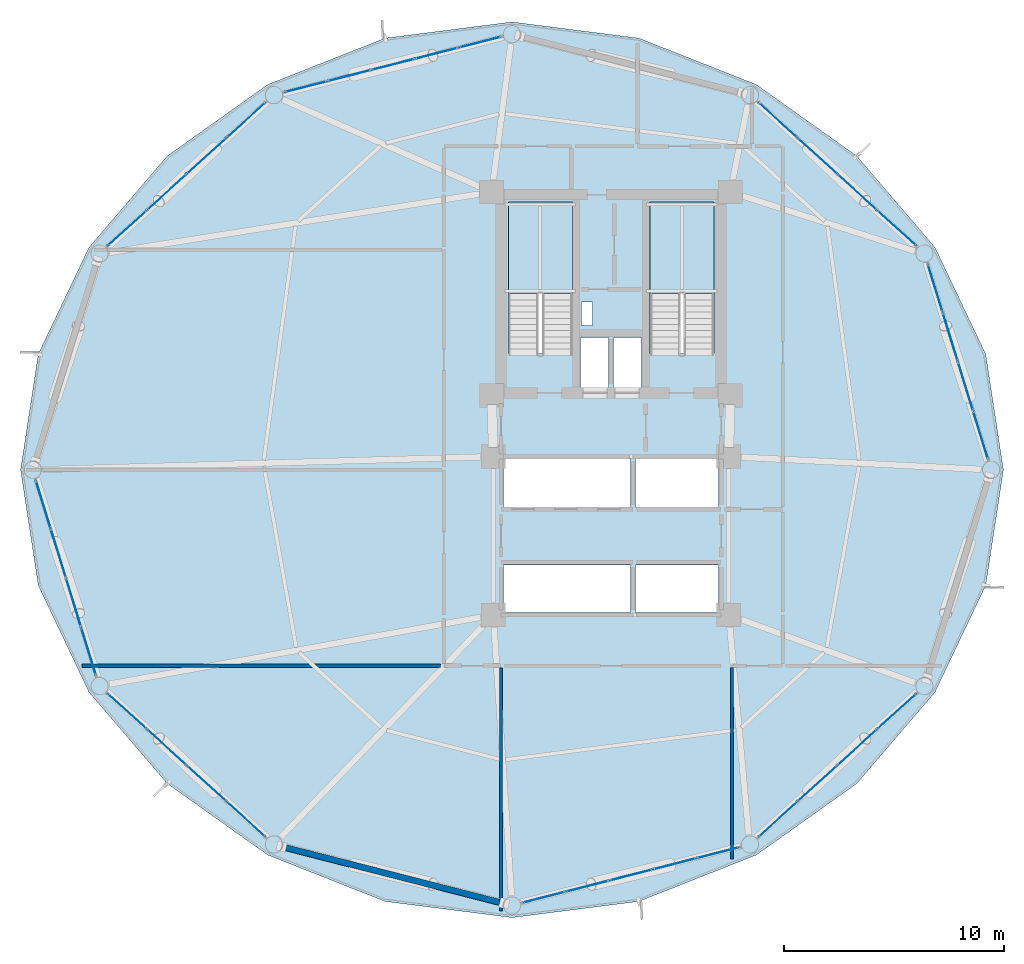
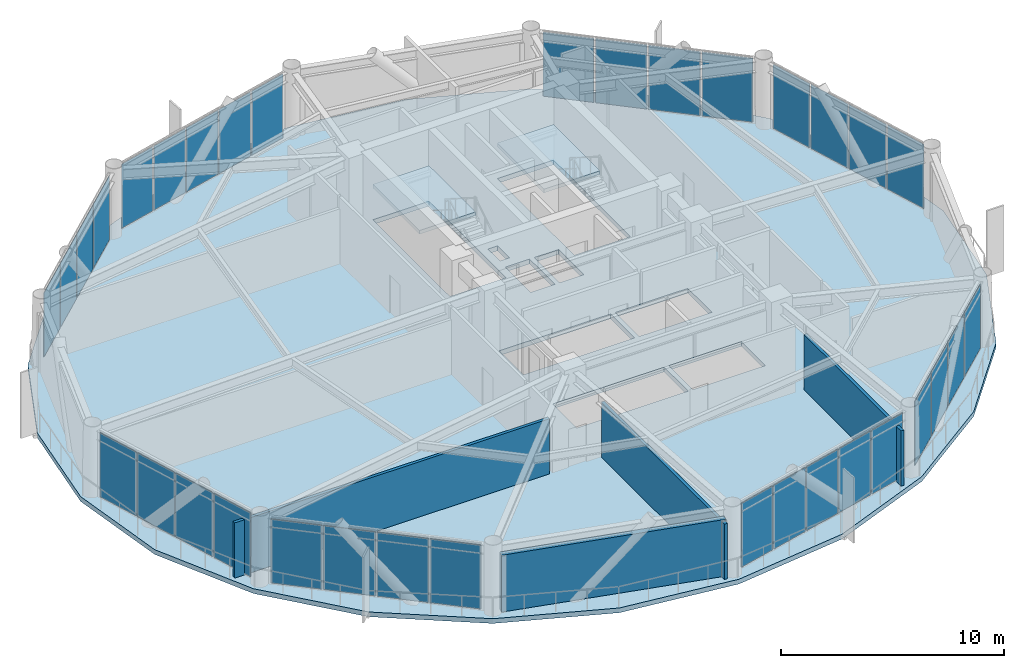
# One storey, part 19 of 25: 34 plates, 4 walls, 3 slabs, 10 elements without a shape of their own.
"""IFC4 building model written with IfcOpenShell, lengths in metres."""

from ifc_helpers import new_model, si_unit, direction, frame, frame_2d, origin, origin_2d, place, context, subcontext, project, spatial, polyline, rectangle, outline, extrude, source, transform, mapped, material, layer, layer_set, type_object, type_shapes, element, aggregate, save


model = new_model("IFC4")

# Units and contexts
model_context = context("Model", 3, precision=1e-05, world=origin(), true_north=direction((0.0, 1.0)))
body_context = subcontext(model_context, "Body", "Model", "MODEL_VIEW")
ifc_project = project(units=[si_unit("LENGTHUNIT", "METRE"), si_unit("AREAUNIT", "SQUARE_METRE"), si_unit("VOLUMEUNIT", "CUBIC_METRE"), si_unit("PLANEANGLEUNIT", "RADIAN"), si_unit("MASSUNIT", "GRAM", prefix="KILO")], contexts=[model_context])

# Site, building, storey
site_placement = place(None, origin())
site = spatial("IfcSite", under=ifc_project, at=site_placement, CompositionType="ELEMENT")
building_placement = place(site_placement, origin())
building = spatial("IfcBuilding", under=site, at=building_placement, Name="Varnakorn Sky Granary", CompositionType="ELEMENT")
storey_placement = place(building_placement, frame((0.0, 0.0, 91.5)))
storey = spatial("IfcBuildingStorey", under=building, at=storey_placement, Name="L22", CompositionType="ELEMENT", Elevation=91.5)

# Stair, slab
ifc_material_1 = material(Name="Concrete C40/50", Category="concrete")
stair_type = type_object("IfcStairType", Name="ST-MAIN-ASSEMBLY", PredefinedType="HALF_TURN_STAIR", material=ifc_material_1)
stair_1_placement = place(storey_placement, origin())
stair_1 = element("IfcStair", 1, at=stair_1_placement, inside=storey, type_object=stair_type, Name="L22 Protected Exit Stair ST-1", PredefinedType="HALF_TURN_STAIR")
ifc_layer_1 = layer(ifc_material_1, 0.199951171875, Name="Concrete C40/50")
ifc_layer_set_1 = layer_set([ifc_layer_1], Name="Concrete C40/50")
slab_type_1 = type_object("IfcSlabType", Name="ST-MAIN-LAND", PredefinedType="LANDING", material=ifc_layer_set_1)
slab_1_placement = place(storey_placement, frame((0.0, 0.0, 1.75)))
slab_1 = element("IfcSlab", 2, at=slab_1_placement, type_object=slab_type_1, Name="ST-1 landing 1", PredefinedType="LANDING", context=body_context, shape_type="SweptSolid", body=[
    extrude(outline(polyline([(1.239990234375, 8.0), (1.239990234375, 12.179931640625), (-1.669921875, 12.179931640625), (-1.669921875, 8.0), (1.239990234375, 8.0)])), origin(), (0.0, 0.0, 1.0), 0.199951171875),
])
aggregate(stair_1, [slab_1])

stair_2_placement = place(storey_placement, origin())
stair_2 = element("IfcStair", 3, at=stair_2_placement, inside=storey, type_object=stair_type, Name="L22 Protected Exit Stair ST-2", PredefinedType="HALF_TURN_STAIR")
slab_2_placement = place(storey_placement, frame((0.0, 0.0, 1.75)))
slab_2 = element("IfcSlab", 4, at=slab_2_placement, type_object=slab_type_1, Name="ST-2 landing 1", PredefinedType="LANDING", context=body_context, shape_type="SweptSolid", body=[
    extrude(outline(polyline([(7.679931640625, 8.0), (7.679931640625, 12.179931640625), (4.77001953125, 12.179931640625), (4.77001953125, 8.0), (7.679931640625, 8.0)])), origin(), (0.0, 0.0, 1.0), 0.199951171875),
])
aggregate(stair_2, [slab_2])

# Slab
ifc_material_2 = material(Name="Concrete C50/60", Category="concrete")
ifc_layer_2 = layer(ifc_material_2, 0.260009765625, Name="Concrete C50/60")
ifc_layer_set_2 = layer_set([ifc_layer_2], Name="Concrete C50/60")
slab_type_2 = type_object("IfcSlabType", Name="ST-SL-TWR-260", PredefinedType="FLOOR", material=ifc_layer_set_2)
slab_3_placement = place(storey_placement, frame((0.0, 0.0, -0.260009765625)))
element("IfcSlab", 5, at=slab_3_placement, inside=storey, type_object=slab_type_2, Name="Level L22 Structural Floor Slab", PredefinedType="FLOOR", context=body_context, shape_type="SweptSolid", body=[
    extrude(outline(polyline([(20.8330078125, 0.0), (20.028564453125, 5.255859375), (17.72412109375, 10.1083984375), (14.16455078125, 14.263916015625), (9.59912109375, 17.50830078125), (4.2685546875, 19.614990234375), (-1.5, 20.35205078125), (-7.2685546875, 19.614990234375), (-12.59912109375, 17.50830078125), (-17.16455078125, 14.263916015625), (-20.72412109375, 10.1083984375), (-23.028564453125, 5.255859375), (-23.8330078125, 0.0), (-23.028564453125, -5.255859375), (-20.72412109375, -10.1083984375), (-17.16455078125, -14.263916015625), (-12.59912109375, -17.50830078125), (-7.2685546875, -19.614990234375), (-1.5, -20.35205078125), (4.2685546875, -19.614990234375), (9.59912109375, -17.50830078125), (14.16455078125, -14.263916015625), (17.72412109375, -10.1083984375), (20.028564453125, -5.255859375), (20.8330078125, 0.0)]), holes=[polyline([(1.239990234375, 5.27490234375), (1.239990234375, 12.179931640625), (-1.669921875, 12.179931640625), (-1.669921875, 5.27490234375), (1.239990234375, 5.27490234375)]), polyline([(7.679931640625, 5.27490234375), (7.679931640625, 12.179931640625), (4.77001953125, 12.179931640625), (4.77001953125, 5.27490234375), (7.679931640625, 5.27490234375)]), polyline([(1.659912109375, 6.550048828125), (2.14990234375, 6.550048828125), (2.14990234375, 7.6201171875), (1.659912109375, 7.6201171875), (1.659912109375, 6.550048828125)]), polyline([(1.6201171875, 3.739990234375), (2.8798828125, 3.739990234375), (2.8798828125, 6.010009765625), (1.6201171875, 6.010009765625), (1.6201171875, 3.739990234375)]), polyline([(3.1201171875, 3.739990234375), (4.3798828125, 3.739990234375), (4.3798828125, 6.010009765625), (3.1201171875, 6.010009765625), (3.1201171875, 3.739990234375)]), polyline([(-1.8798828125, -1.679931640625), (3.8798828125, -1.679931640625), (3.8798828125, 0.47998046875), (-1.8798828125, 0.47998046875), (-1.8798828125, -1.679931640625)]), polyline([(4.1201171875, -1.679931640625), (7.8798828125, -1.679931640625), (7.8798828125, 0.47998046875), (4.1201171875, 0.47998046875), (4.1201171875, -1.679931640625)]), polyline([(-1.8798828125, -6.47998046875), (3.8798828125, -6.47998046875), (3.8798828125, -4.320068359375), (-1.8798828125, -4.320068359375), (-1.8798828125, -6.47998046875)]), polyline([(4.1201171875, -6.47998046875), (7.8798828125, -6.47998046875), (7.8798828125, -4.320068359375), (4.1201171875, -4.320068359375), (4.1201171875, -6.47998046875)])]), origin(), (0.0, 0.0, 1.0), 0.260009765625),
])

# Curtain wall, plates
ifc_material_3 = material(Name="Anodised Bronze Aluminium Alloy 6063-T6", Category="aluminium")
ifc_layer_3 = layer(ifc_material_3, 0.18994140625, Name="Anodised Bronze Aluminium Alloy 6063-T6")
ifc_layer_set_3 = layer_set([ifc_layer_3], Name="Anodised Bronze Aluminium Alloy 6063-T6")
curtain_wall_type = type_object("IfcCurtainWallType", Name="CW-FRM-1", PredefinedType="USERDEFINED", material=ifc_layer_set_3)
curtain_wall_1_placement = place(storey_placement, origin())
curtain_wall_1 = element("IfcCurtainWall", 6, at=curtain_wall_1_placement, inside=storey, type_object=curtain_wall_type, Name="Unitised Curtain Wall CW3 CW-L22-B01", ObjectType="CURTAIN WALL", PredefinedType="USERDEFINED")
ifc_material_4 = material(Name="Low-E Tinted Laminated Glass", Category="glass")
ifc_layer_4 = layer(ifc_material_4, 0.028076171875, Name="Low-E Tinted Laminated Glass")
ifc_layer_set_4 = layer_set([ifc_layer_4], Name="Low-E Tinted Laminated Glass")
plate_type = type_object("IfcPlateType", Name="CW-FRM-1-PNL", PredefinedType="CURTAIN_PANEL")
shared_shape_1 = source(origin(), body_context, "Body", "SweptSolid", [
    extrude(rectangle(XDim=2.234619140625, YDim=0.028076171875, at=origin_2d()), origin(), (0.0, 0.0, 1.0), 3.5),
])
plate_1_placement = place(storey_placement, frame((17.735595703125, 8.25341796875, 0.070068359375), z_axis=(0.0, 0.0, 1.0), x_axis=(0.294933477341, -0.955517788397, 0.0)))
plate_1 = element("IfcPlate", 7, at=plate_1_placement, type_object=plate_type, material=ifc_layer_set_4, Name="CW3 vision glazing unit 1.1", PredefinedType="CURTAIN_PANEL", context=body_context, shape_type="MappedRepresentation", body=[
    mapped(shared_shape_1, transform((0.0, 0.0, 0.0), x_axis=(1.0, 0.0, 0.0), y_axis=(0.0, 1.0, 0.0), z_axis=(0.0, 0.0, 1.0), scale=1.0)),
])
plate_2_placement = place(storey_placement, frame((19.795166015625, 1.580078125, 0.070068359375), z_axis=(0.0, 0.0, 1.0), x_axis=(0.294933477341, -0.955517788397, 0.0)))
plate_2 = element("IfcPlate", 8, at=plate_2_placement, type_object=plate_type, material=ifc_layer_set_4, Name="CW3 vision glazing unit 4.1", PredefinedType="CURTAIN_PANEL", context=body_context, shape_type="MappedRepresentation", body=[
    mapped(shared_shape_1, transform((0.0, 0.0, 0.0), x_axis=(1.0, 0.0, 0.0), y_axis=(0.0, 1.0, 0.0), z_axis=(0.0, 0.0, 1.0), scale=1.0)),
])

curtain_wall_2_placement = place(storey_placement, origin())
curtain_wall_2 = element("IfcCurtainWall", 9, at=curtain_wall_2_placement, inside=storey, type_object=curtain_wall_type, Name="Unitised Curtain Wall CW3 CW-L22-B07", ObjectType="CURTAIN WALL", PredefinedType="USERDEFINED")
plate_3_placement = place(storey_placement, frame((-20.735595703125, -8.25341796875, 0.070068359375), z_axis=(0.0, 0.0, 1.0), x_axis=(-0.294933477341, 0.955517788397, 0.0)))
plate_3 = element("IfcPlate", 10, at=plate_3_placement, type_object=plate_type, material=ifc_layer_set_4, Name="CW3 vision glazing unit 1.1", PredefinedType="CURTAIN_PANEL", context=body_context, shape_type="MappedRepresentation", body=[
    mapped(shared_shape_1, transform((0.0, 0.0, 0.0), x_axis=(1.0, 0.0, 0.0), y_axis=(0.0, 1.0, 0.0), z_axis=(0.0, 0.0, 1.0), scale=1.0)),
])
plate_4_placement = place(storey_placement, frame((-22.795166015625, -1.580078125, 0.070068359375), z_axis=(0.0, 0.0, 1.0), x_axis=(-0.294933477341, 0.955517788397, 0.0)))
plate_4 = element("IfcPlate", 11, at=plate_4_placement, type_object=plate_type, material=ifc_layer_set_4, Name="CW3 vision glazing unit 4.1", PredefinedType="CURTAIN_PANEL", context=body_context, shape_type="MappedRepresentation", body=[
    mapped(shared_shape_1, transform((0.0, 0.0, 0.0), x_axis=(1.0, 0.0, 0.0), y_axis=(0.0, 1.0, 0.0), z_axis=(0.0, 0.0, 1.0), scale=1.0)),
])

# Plate
ifc_material_5 = material(Name="Opaque Insulated Aluminium Shadow-Box Unit", Category="aluminium")
ifc_layer_5 = layer(ifc_material_5, 0.028076171875, Name="Opaque Insulated Aluminium Shadow-Box Unit")
ifc_layer_set_5 = layer_set([ifc_layer_5], Name="Opaque Insulated Aluminium Shadow-Box Unit")
shared_shape_2 = source(origin(), body_context, "Body", "SweptSolid", [
    extrude(rectangle(XDim=2.26953125, YDim=0.028076171875, at=origin_2d()), origin(), (0.0, 0.0, 1.0), 3.5),
])
plate_5_placement = place(storey_placement, frame((18.42041015625, 6.034423828125, 0.070068359375), z_axis=(0.0, 0.0, 1.0), x_axis=(0.294933477341, -0.955517788397, 0.0)))
plate_5 = element("IfcPlate", 12, at=plate_5_placement, type_object=plate_type, material=ifc_layer_set_5, Name="CW3 opaque insulated shadow-box unit 2.1", PredefinedType="CURTAIN_PANEL", context=body_context, shape_type="MappedRepresentation", body=[
    mapped(shared_shape_2, transform((0.0, 0.0, 0.0), x_axis=(1.0, 0.0, 0.0), y_axis=(0.0, 1.0, 0.0), z_axis=(0.0, 0.0, 1.0), scale=1.0)),
])

plate_6_placement = place(storey_placement, frame((19.1103515625, 3.799072265625, 0.070068359375), z_axis=(0.0, 0.0, 1.0), x_axis=(0.294933477341, -0.955517788397, 0.0)))
plate_6 = element("IfcPlate", 13, at=plate_6_placement, type_object=plate_type, material=ifc_layer_set_5, Name="CW3 opaque insulated shadow-box unit 3.1", PredefinedType="CURTAIN_PANEL", context=body_context, shape_type="MappedRepresentation", body=[
    mapped(shared_shape_2, transform((0.0, 0.0, 0.0), x_axis=(1.0, 0.0, 0.0), y_axis=(0.0, 1.0, 0.0), z_axis=(0.0, 0.0, 1.0), scale=1.0)),
])

aggregate(curtain_wall_1, [plate_1, plate_5, plate_6, plate_2])

plate_7_placement = place(storey_placement, frame((-21.42041015625, -6.034423828125, 0.070068359375), z_axis=(0.0, 0.0, 1.0), x_axis=(-0.294933477341, 0.955517788397, 0.0)))
plate_7 = element("IfcPlate", 14, at=plate_7_placement, type_object=plate_type, material=ifc_layer_set_5, Name="CW3 opaque insulated shadow-box unit 2.1", PredefinedType="CURTAIN_PANEL", context=body_context, shape_type="MappedRepresentation", body=[
    mapped(shared_shape_2, transform((0.0, 0.0, 0.0), x_axis=(1.0, 0.0, 0.0), y_axis=(0.0, 1.0, 0.0), z_axis=(0.0, 0.0, 1.0), scale=1.0)),
])

plate_8_placement = place(storey_placement, frame((-22.1103515625, -3.799072265625, 0.070068359375), z_axis=(0.0, 0.0, 1.0), x_axis=(-0.294933477341, 0.955517788397, 0.0)))
plate_8 = element("IfcPlate", 15, at=plate_8_placement, type_object=plate_type, material=ifc_layer_set_5, Name="CW3 opaque insulated shadow-box unit 3.1", PredefinedType="CURTAIN_PANEL", context=body_context, shape_type="MappedRepresentation", body=[
    mapped(shared_shape_2, transform((0.0, 0.0, 0.0), x_axis=(1.0, 0.0, 0.0), y_axis=(0.0, 1.0, 0.0), z_axis=(0.0, 0.0, 1.0), scale=1.0)),
])

aggregate(curtain_wall_2, [plate_3, plate_7, plate_8, plate_4])

# Curtain wall, plates
curtain_wall_3_placement = place(storey_placement, origin())
curtain_wall_3 = element("IfcCurtainWall", 16, at=curtain_wall_3_placement, inside=storey, type_object=curtain_wall_type, Name="Unitised Curtain Wall CW3 CW-L22-B02", ObjectType="CURTAIN WALL", PredefinedType="USERDEFINED")
shared_shape_3 = source(origin(), body_context, "Body", "SweptSolid", [
    extrude(rectangle(XDim=2.338134765625, YDim=0.028076171875, at=origin_2d()), origin(), (0.0, 0.0, 1.0), 3.5),
])
plate_9_placement = place(storey_placement, frame((10.58642578125, 15.88525390625, 0.070068359375), z_axis=(0.0, 0.0, 1.0), x_axis=(0.740161361962, -0.672429296104, 0.0)))
plate_9 = element("IfcPlate", 17, at=plate_9_placement, type_object=plate_type, material=ifc_layer_set_4, Name="CW3 vision glazing unit 1.1", PredefinedType="CURTAIN_PANEL", context=body_context, shape_type="MappedRepresentation", body=[
    mapped(shared_shape_3, transform((0.0, 0.0, 0.0), x_axis=(1.0, 0.0, 0.0), y_axis=(0.0, 1.0, 0.0), z_axis=(0.0, 0.0, 1.0), scale=1.0)),
])
plate_10_placement = place(storey_placement, frame((15.9853515625, 10.98046875, 0.070068359375), z_axis=(0.0, 0.0, 1.0), x_axis=(0.740161361962, -0.672429296104, 0.0)))
plate_10 = element("IfcPlate", 18, at=plate_10_placement, type_object=plate_type, material=ifc_layer_set_4, Name="CW3 vision glazing unit 4.1", PredefinedType="CURTAIN_PANEL", context=body_context, shape_type="MappedRepresentation", body=[
    mapped(shared_shape_3, transform((0.0, 0.0, 0.0), x_axis=(1.0, 0.0, 0.0), y_axis=(0.0, 1.0, 0.0), z_axis=(0.0, 0.0, 1.0), scale=1.0)),
])

curtain_wall_4_placement = place(storey_placement, origin())
curtain_wall_4 = element("IfcCurtainWall", 19, at=curtain_wall_4_placement, inside=storey, type_object=curtain_wall_type, Name="Unitised Curtain Wall CW3 CW-L22-B05", ObjectType="CURTAIN WALL", PredefinedType="USERDEFINED")
plate_11_placement = place(storey_placement, frame((-18.9853515625, 10.98046875, 0.070068359375), z_axis=(0.0, 0.0, 1.0), x_axis=(0.740161361962, 0.672429296104, 0.0)))
plate_11 = element("IfcPlate", 20, at=plate_11_placement, type_object=plate_type, material=ifc_layer_set_4, Name="CW3 vision glazing unit 1.1", PredefinedType="CURTAIN_PANEL", context=body_context, shape_type="MappedRepresentation", body=[
    mapped(shared_shape_3, transform((0.0, 0.0, 0.0), x_axis=(1.0, 0.0, 0.0), y_axis=(0.0, 1.0, 0.0), z_axis=(0.0, 0.0, 1.0), scale=1.0)),
])
plate_12_placement = place(storey_placement, frame((-13.58642578125, 15.88525390625, 0.070068359375), z_axis=(0.0, 0.0, 1.0), x_axis=(0.740161361962, 0.672429296104, 0.0)))
plate_12 = element("IfcPlate", 21, at=plate_12_placement, type_object=plate_type, material=ifc_layer_set_4, Name="CW3 vision glazing unit 4.1", PredefinedType="CURTAIN_PANEL", context=body_context, shape_type="MappedRepresentation", body=[
    mapped(shared_shape_3, transform((0.0, 0.0, 0.0), x_axis=(1.0, 0.0, 0.0), y_axis=(0.0, 1.0, 0.0), z_axis=(0.0, 0.0, 1.0), scale=1.0)),
])

curtain_wall_5_placement = place(storey_placement, origin())
curtain_wall_5 = element("IfcCurtainWall", 22, at=curtain_wall_5_placement, inside=storey, type_object=curtain_wall_type, Name="Unitised Curtain Wall CW3 CW-L22-B08", ObjectType="CURTAIN WALL", PredefinedType="USERDEFINED")
plate_13_placement = place(storey_placement, frame((-13.58642578125, -15.88525390625, 0.070068359375), z_axis=(0.0, 0.0, 1.0), x_axis=(-0.740161361962, 0.672429296104, 0.0)))
plate_13 = element("IfcPlate", 23, at=plate_13_placement, type_object=plate_type, material=ifc_layer_set_4, Name="CW3 vision glazing unit 1.1", PredefinedType="CURTAIN_PANEL", context=body_context, shape_type="MappedRepresentation", body=[
    mapped(shared_shape_3, transform((0.0, 0.0, 0.0), x_axis=(1.0, 0.0, 0.0), y_axis=(0.0, 1.0, 0.0), z_axis=(0.0, 0.0, 1.0), scale=1.0)),
])
plate_14_placement = place(storey_placement, frame((-18.9853515625, -10.98046875, 0.070068359375), z_axis=(0.0, 0.0, 1.0), x_axis=(-0.740161361962, 0.672429296104, 0.0)))
plate_14 = element("IfcPlate", 24, at=plate_14_placement, type_object=plate_type, material=ifc_layer_set_4, Name="CW3 vision glazing unit 4.1", PredefinedType="CURTAIN_PANEL", context=body_context, shape_type="MappedRepresentation", body=[
    mapped(shared_shape_3, transform((0.0, 0.0, 0.0), x_axis=(1.0, 0.0, 0.0), y_axis=(0.0, 1.0, 0.0), z_axis=(0.0, 0.0, 1.0), scale=1.0)),
])

curtain_wall_6_placement = place(storey_placement, origin())
curtain_wall_6 = element("IfcCurtainWall", 25, at=curtain_wall_6_placement, inside=storey, type_object=curtain_wall_type, Name="Unitised Curtain Wall CW3 CW-L22-B11", ObjectType="CURTAIN WALL", PredefinedType="USERDEFINED")
plate_15_placement = place(storey_placement, frame((15.9853515625, -10.98046875, 0.070068359375), z_axis=(0.0, 0.0, 1.0), x_axis=(-0.740161361962, -0.672429296104, 0.0)))
plate_15 = element("IfcPlate", 26, at=plate_15_placement, type_object=plate_type, material=ifc_layer_set_4, Name="CW3 vision glazing unit 1.1", PredefinedType="CURTAIN_PANEL", context=body_context, shape_type="MappedRepresentation", body=[
    mapped(shared_shape_3, transform((0.0, 0.0, 0.0), x_axis=(1.0, 0.0, 0.0), y_axis=(0.0, 1.0, 0.0), z_axis=(0.0, 0.0, 1.0), scale=1.0)),
])
plate_16_placement = place(storey_placement, frame((10.58642578125, -15.88525390625, 0.070068359375), z_axis=(0.0, 0.0, 1.0), x_axis=(-0.740161361962, -0.672429296104, 0.0)))
plate_16 = element("IfcPlate", 27, at=plate_16_placement, type_object=plate_type, material=ifc_layer_set_4, Name="CW3 vision glazing unit 4.1", PredefinedType="CURTAIN_PANEL", context=body_context, shape_type="MappedRepresentation", body=[
    mapped(shared_shape_3, transform((0.0, 0.0, 0.0), x_axis=(1.0, 0.0, 0.0), y_axis=(0.0, 1.0, 0.0), z_axis=(0.0, 0.0, 1.0), scale=1.0)),
])

# Plate
shared_shape_4 = source(origin(), body_context, "Body", "SweptSolid", [
    extrude(rectangle(XDim=2.373046875, YDim=0.028076171875, at=origin_2d()), origin(), (0.0, 0.0, 1.0), 3.5),
])
plate_17_placement = place(storey_placement, frame((12.381591796875, 14.254150390625, 0.070068359375), z_axis=(0.0, 0.0, 1.0), x_axis=(0.740161361962, -0.672429296104, 0.0)))
plate_17 = element("IfcPlate", 28, at=plate_17_placement, type_object=plate_type, material=ifc_layer_set_5, Name="CW3 opaque insulated shadow-box unit 2.1", PredefinedType="CURTAIN_PANEL", context=body_context, shape_type="MappedRepresentation", body=[
    mapped(shared_shape_4, transform((0.0, 0.0, 0.0), x_axis=(1.0, 0.0, 0.0), y_axis=(0.0, 1.0, 0.0), z_axis=(0.0, 0.0, 1.0), scale=1.0)),
])

plate_18_placement = place(storey_placement, frame((14.18994140625, 12.611328125, 0.070068359375), z_axis=(0.0, 0.0, 1.0), x_axis=(0.740161361962, -0.672429296104, 0.0)))
plate_18 = element("IfcPlate", 29, at=plate_18_placement, type_object=plate_type, material=ifc_layer_set_5, Name="CW3 opaque insulated shadow-box unit 3.1", PredefinedType="CURTAIN_PANEL", context=body_context, shape_type="MappedRepresentation", body=[
    mapped(shared_shape_4, transform((0.0, 0.0, 0.0), x_axis=(1.0, 0.0, 0.0), y_axis=(0.0, 1.0, 0.0), z_axis=(0.0, 0.0, 1.0), scale=1.0)),
])

aggregate(curtain_wall_3, [plate_9, plate_17, plate_18, plate_10])

plate_19_placement = place(storey_placement, frame((-17.18994140625, 12.611328125, 0.070068359375), z_axis=(0.0, 0.0, 1.0), x_axis=(0.740161361962, 0.672429296104, 0.0)))
plate_19 = element("IfcPlate", 30, at=plate_19_placement, type_object=plate_type, material=ifc_layer_set_5, Name="CW3 opaque insulated shadow-box unit 2.1", PredefinedType="CURTAIN_PANEL", context=body_context, shape_type="MappedRepresentation", body=[
    mapped(shared_shape_4, transform((0.0, 0.0, 0.0), x_axis=(1.0, 0.0, 0.0), y_axis=(0.0, 1.0, 0.0), z_axis=(0.0, 0.0, 1.0), scale=1.0)),
])

plate_20_placement = place(storey_placement, frame((-15.381591796875, 14.254150390625, 0.070068359375), z_axis=(0.0, 0.0, 1.0), x_axis=(0.740161361962, 0.672429296104, 0.0)))
plate_20 = element("IfcPlate", 31, at=plate_20_placement, type_object=plate_type, material=ifc_layer_set_5, Name="CW3 opaque insulated shadow-box unit 3.1", PredefinedType="CURTAIN_PANEL", context=body_context, shape_type="MappedRepresentation", body=[
    mapped(shared_shape_4, transform((0.0, 0.0, 0.0), x_axis=(1.0, 0.0, 0.0), y_axis=(0.0, 1.0, 0.0), z_axis=(0.0, 0.0, 1.0), scale=1.0)),
])

aggregate(curtain_wall_4, [plate_11, plate_19, plate_20, plate_12])

plate_21_placement = place(storey_placement, frame((-15.381591796875, -14.254150390625, 0.070068359375), z_axis=(0.0, 0.0, 1.0), x_axis=(-0.740161361962, 0.672429296104, 0.0)))
plate_21 = element("IfcPlate", 32, at=plate_21_placement, type_object=plate_type, material=ifc_layer_set_5, Name="CW3 opaque insulated shadow-box unit 2.1", PredefinedType="CURTAIN_PANEL", context=body_context, shape_type="MappedRepresentation", body=[
    mapped(shared_shape_4, transform((0.0, 0.0, 0.0), x_axis=(1.0, 0.0, 0.0), y_axis=(0.0, 1.0, 0.0), z_axis=(0.0, 0.0, 1.0), scale=1.0)),
])

plate_22_placement = place(storey_placement, frame((-17.18994140625, -12.611328125, 0.070068359375), z_axis=(0.0, 0.0, 1.0), x_axis=(-0.740161361962, 0.672429296104, 0.0)))
plate_22 = element("IfcPlate", 33, at=plate_22_placement, type_object=plate_type, material=ifc_layer_set_5, Name="CW3 opaque insulated shadow-box unit 3.1", PredefinedType="CURTAIN_PANEL", context=body_context, shape_type="MappedRepresentation", body=[
    mapped(shared_shape_4, transform((0.0, 0.0, 0.0), x_axis=(1.0, 0.0, 0.0), y_axis=(0.0, 1.0, 0.0), z_axis=(0.0, 0.0, 1.0), scale=1.0)),
])

aggregate(curtain_wall_5, [plate_13, plate_21, plate_22, plate_14])

plate_23_placement = place(storey_placement, frame((14.18994140625, -12.611328125, 0.070068359375), z_axis=(0.0, 0.0, 1.0), x_axis=(-0.740161361962, -0.672429296104, 0.0)))
plate_23 = element("IfcPlate", 34, at=plate_23_placement, type_object=plate_type, material=ifc_layer_set_5, Name="CW3 opaque insulated shadow-box unit 2.1", PredefinedType="CURTAIN_PANEL", context=body_context, shape_type="MappedRepresentation", body=[
    mapped(shared_shape_4, transform((0.0, 0.0, 0.0), x_axis=(1.0, 0.0, 0.0), y_axis=(0.0, 1.0, 0.0), z_axis=(0.0, 0.0, 1.0), scale=1.0)),
])

plate_24_placement = place(storey_placement, frame((12.381591796875, -14.254150390625, 0.070068359375), z_axis=(0.0, 0.0, 1.0), x_axis=(-0.740161361962, -0.672429296104, 0.0)))
plate_24 = element("IfcPlate", 35, at=plate_24_placement, type_object=plate_type, material=ifc_layer_set_5, Name="CW3 opaque insulated shadow-box unit 3.1", PredefinedType="CURTAIN_PANEL", context=body_context, shape_type="MappedRepresentation", body=[
    mapped(shared_shape_4, transform((0.0, 0.0, 0.0), x_axis=(1.0, 0.0, 0.0), y_axis=(0.0, 1.0, 0.0), z_axis=(0.0, 0.0, 1.0), scale=1.0)),
])

aggregate(curtain_wall_6, [plate_15, plate_23, plate_24, plate_16])

# Curtain wall, plates
curtain_wall_7_placement = place(storey_placement, origin())
curtain_wall_7 = element("IfcCurtainWall", 36, at=curtain_wall_7_placement, inside=storey, type_object=curtain_wall_type, Name="Unitised Curtain Wall CW3 CW-L22-B04", ObjectType="CURTAIN WALL", PredefinedType="USERDEFINED")
shared_shape_5 = source(origin(), body_context, "Body", "SweptSolid", [
    extrude(rectangle(XDim=1.94287109375, YDim=0.028076171875, at=origin_2d()), origin(), (0.0, 0.0, 1.0), 3.5),
])
plate_25_placement = place(storey_placement, frame((-10.863037109375, 17.406005859375, 0.070068359375), z_axis=(0.0, 0.0, 1.0), x_axis=(0.96878454348, 0.247904232144, 0.0)))
plate_25 = element("IfcPlate", 37, at=plate_25_placement, type_object=plate_type, material=ifc_layer_set_4, Name="CW3 vision glazing unit 1.1", PredefinedType="CURTAIN_PANEL", context=body_context, shape_type="MappedRepresentation", body=[
    mapped(shared_shape_5, transform((0.0, 0.0, 0.0), x_axis=(1.0, 0.0, 0.0), y_axis=(0.0, 1.0, 0.0), z_axis=(0.0, 0.0, 1.0), scale=1.0)),
])
plate_26_placement = place(storey_placement, frame((-2.9609375, 19.42822265625, 0.070068359375), z_axis=(0.0, 0.0, 1.0), x_axis=(0.96878454348, 0.247904232144, 0.0)))
plate_26 = element("IfcPlate", 38, at=plate_26_placement, type_object=plate_type, material=ifc_layer_set_4, Name="CW3 vision glazing unit 5.1", PredefinedType="CURTAIN_PANEL", context=body_context, shape_type="MappedRepresentation", body=[
    mapped(shared_shape_5, transform((0.0, 0.0, 0.0), x_axis=(1.0, 0.0, 0.0), y_axis=(0.0, 1.0, 0.0), z_axis=(0.0, 0.0, 1.0), scale=1.0)),
])

curtain_wall_8_placement = place(storey_placement, origin())
curtain_wall_8 = element("IfcCurtainWall", 39, at=curtain_wall_8_placement, inside=storey, type_object=curtain_wall_type, Name="Unitised Curtain Wall CW3 CW-L22-B10", ObjectType="CURTAIN WALL", PredefinedType="USERDEFINED")
plate_27_placement = place(storey_placement, frame((7.863037109375, -17.406005859375, 0.070068359375), z_axis=(0.0, 0.0, 1.0), x_axis=(-0.96878454348, -0.247904232144, 0.0)))
plate_27 = element("IfcPlate", 40, at=plate_27_placement, type_object=plate_type, material=ifc_layer_set_4, Name="CW3 vision glazing unit 1.1", PredefinedType="CURTAIN_PANEL", context=body_context, shape_type="MappedRepresentation", body=[
    mapped(shared_shape_5, transform((0.0, 0.0, 0.0), x_axis=(1.0, 0.0, 0.0), y_axis=(0.0, 1.0, 0.0), z_axis=(0.0, 0.0, 1.0), scale=1.0)),
])
plate_28_placement = place(storey_placement, frame((-0.0390625, -19.42822265625, 0.070068359375), z_axis=(0.0, 0.0, 1.0), x_axis=(-0.96878454348, -0.247904232144, 0.0)))
plate_28 = element("IfcPlate", 41, at=plate_28_placement, type_object=plate_type, material=ifc_layer_set_4, Name="CW3 vision glazing unit 5.1", PredefinedType="CURTAIN_PANEL", context=body_context, shape_type="MappedRepresentation", body=[
    mapped(shared_shape_5, transform((0.0, 0.0, 0.0), x_axis=(1.0, 0.0, 0.0), y_axis=(0.0, 1.0, 0.0), z_axis=(0.0, 0.0, 1.0), scale=1.0)),
])

# Plate
shared_shape_6 = source(origin(), body_context, "Body", "SweptSolid", [
    extrude(rectangle(XDim=1.97802734375, YDim=0.028076171875, at=origin_2d()), origin(), (0.0, 0.0, 1.0), 3.5),
])
type_shapes(plate_type, [shared_shape_1, shared_shape_2, shared_shape_3, shared_shape_4, shared_shape_5, shared_shape_6])
plate_29_placement = place(storey_placement, frame((-8.89599609375, 17.909423828125, 0.070068359375), z_axis=(0.0, 0.0, 1.0), x_axis=(0.96878454348, 0.247904232144, 0.0)))
plate_29 = element("IfcPlate", 42, at=plate_29_placement, type_object=plate_type, material=ifc_layer_set_5, Name="CW3 opaque insulated shadow-box unit 2.1", PredefinedType="CURTAIN_PANEL", context=body_context, shape_type="MappedRepresentation", body=[
    mapped(shared_shape_6, transform((0.0, 0.0, 0.0), x_axis=(1.0, 0.0, 0.0), y_axis=(0.0, 1.0, 0.0), z_axis=(0.0, 0.0, 1.0), scale=1.0)),
])

plate_30_placement = place(storey_placement, frame((-6.912109375, 18.4169921875, 0.070068359375), z_axis=(0.0, 0.0, 1.0), x_axis=(0.96878454348, 0.247904232144, 0.0)))
plate_30 = element("IfcPlate", 43, at=plate_30_placement, type_object=plate_type, material=ifc_layer_set_5, Name="CW3 opaque insulated shadow-box unit 3.1", PredefinedType="CURTAIN_PANEL", context=body_context, shape_type="MappedRepresentation", body=[
    mapped(shared_shape_6, transform((0.0, 0.0, 0.0), x_axis=(1.0, 0.0, 0.0), y_axis=(0.0, 1.0, 0.0), z_axis=(0.0, 0.0, 1.0), scale=1.0)),
])

plate_31_placement = place(storey_placement, frame((-4.927978515625, 18.9248046875, 0.070068359375), z_axis=(0.0, 0.0, 1.0), x_axis=(0.96878454348, 0.247904232144, 0.0)))
plate_31 = element("IfcPlate", 44, at=plate_31_placement, type_object=plate_type, material=ifc_layer_set_5, Name="CW3 opaque insulated shadow-box unit 4.1", PredefinedType="CURTAIN_PANEL", context=body_context, shape_type="MappedRepresentation", body=[
    mapped(shared_shape_6, transform((0.0, 0.0, 0.0), x_axis=(1.0, 0.0, 0.0), y_axis=(0.0, 1.0, 0.0), z_axis=(0.0, 0.0, 1.0), scale=1.0)),
])

aggregate(curtain_wall_7, [plate_25, plate_29, plate_30, plate_31, plate_26])

plate_32_placement = place(storey_placement, frame((5.89599609375, -17.909423828125, 0.070068359375), z_axis=(0.0, 0.0, 1.0), x_axis=(-0.96878454348, -0.247904232144, 0.0)))
plate_32 = element("IfcPlate", 45, at=plate_32_placement, type_object=plate_type, material=ifc_layer_set_5, Name="CW3 opaque insulated shadow-box unit 2.1", PredefinedType="CURTAIN_PANEL", context=body_context, shape_type="MappedRepresentation", body=[
    mapped(shared_shape_6, transform((0.0, 0.0, 0.0), x_axis=(1.0, 0.0, 0.0), y_axis=(0.0, 1.0, 0.0), z_axis=(0.0, 0.0, 1.0), scale=1.0)),
])

plate_33_placement = place(storey_placement, frame((3.912109375, -18.4169921875, 0.070068359375), z_axis=(0.0, 0.0, 1.0), x_axis=(-0.96878454348, -0.247904232144, 0.0)))
plate_33 = element("IfcPlate", 46, at=plate_33_placement, type_object=plate_type, material=ifc_layer_set_5, Name="CW3 opaque insulated shadow-box unit 3.1", PredefinedType="CURTAIN_PANEL", context=body_context, shape_type="MappedRepresentation", body=[
    mapped(shared_shape_6, transform((0.0, 0.0, 0.0), x_axis=(1.0, 0.0, 0.0), y_axis=(0.0, 1.0, 0.0), z_axis=(0.0, 0.0, 1.0), scale=1.0)),
])

plate_34_placement = place(storey_placement, frame((1.927978515625, -18.9248046875, 0.070068359375), z_axis=(0.0, 0.0, 1.0), x_axis=(-0.96878454348, -0.247904232144, 0.0)))
plate_34 = element("IfcPlate", 47, at=plate_34_placement, type_object=plate_type, material=ifc_layer_set_5, Name="CW3 opaque insulated shadow-box unit 4.1", PredefinedType="CURTAIN_PANEL", context=body_context, shape_type="MappedRepresentation", body=[
    mapped(shared_shape_6, transform((0.0, 0.0, 0.0), x_axis=(1.0, 0.0, 0.0), y_axis=(0.0, 1.0, 0.0), z_axis=(0.0, 0.0, 1.0), scale=1.0)),
])

aggregate(curtain_wall_8, [plate_27, plate_32, plate_33, plate_34, plate_28])

# Walls
ifc_material_6 = material(Name="Precast concrete C40/50", Category="concrete")
ifc_layer_6 = layer(ifc_material_6, 0.280029296875, Name="Precast concrete C40/50")
ifc_layer_set_6 = layer_set([ifc_layer_6], Name="Precast concrete C40/50")
wall_type_1 = type_object("IfcWallType", Name="WT-EW-CRN-280", PredefinedType="SOLIDWALL", material=ifc_layer_set_6)
wall_1_placement = place(storey_placement, frame((-1.85009765625, -19.71240234375, 0.0), z_axis=(0.0, 0.0, 1.0), x_axis=(-0.968779349378, 0.247924529279, 0.0)))
element("IfcWall", 48, at=wall_1_placement, inside=storey, type_object=wall_type_1, Name="Agritech Insulated Precast Facade Wall L22-P09", PredefinedType="SOLIDWALL", context=body_context, shape_type="SweptSolid", body=[
    extrude(rectangle(XDim=10.449951171875, YDim=0.280029296875, at=frame_2d((5.22509765625, 0.0))), origin(), (0.0, 0.0, 1.0), 3.110107421875),
])
ifc_material_7 = material(Name="Gypsum Plasterboard on Steel Stud", Category="steel")
ifc_layer_7 = layer(ifc_material_7, 0.14990234375, Name="Gypsum Plasterboard on Steel Stud")
ifc_layer_set_7 = layer_set([ifc_layer_7], Name="Gypsum Plasterboard on Steel Stud")
wall_type_2 = type_object("IfcWallType", Name="WT-PART-150", PredefinedType="PARTITIONING", material=ifc_layer_set_7)
wall_2_placement = place(storey_placement, frame((-2.0, -9.0, 0.0), z_axis=(0.0, 0.0, 1.0), x_axis=(0.0, -1.0, 0.0)))
element("IfcWall", 49, at=wall_2_placement, inside=storey, type_object=wall_type_2, Name="Interior Partition Wall L22-034", PredefinedType="PARTITIONING", context=body_context, shape_type="SweptSolid", body=[
    extrude(rectangle(XDim=11.048095703125, YDim=0.14990234375, at=frame_2d((5.52392578125, 0.0))), origin(), (0.0, 0.0, 1.0), 3.02197265625),
])
wall_3_placement = place(storey_placement, frame((-21.033935546875, -8.89990234375, 0.0), z_axis=(0.0, 0.0, 1.0), x_axis=(1.0, 0.0, 0.0)))
element("IfcWall", 50, at=wall_3_placement, inside=storey, type_object=wall_type_2, Name="Interior Partition Wall L22-035", PredefinedType="PARTITIONING", context=body_context, shape_type="SweptSolid", body=[
    extrude(rectangle(XDim=16.283935546875, YDim=0.14990234375, at=frame_2d((8.14208984375, 0.0))), origin(), (0.0, 0.0, 1.0), 3.02197265625),
])
wall_4_placement = place(storey_placement, frame((8.5, -8.985107421875, 0.0), z_axis=(0.0, 0.0, 1.0), x_axis=(0.0, -1.0, 0.0)))
element("IfcWall", 51, at=wall_4_placement, inside=storey, type_object=wall_type_2, Name="Interior Partition Wall L22-036", PredefinedType="PARTITIONING", context=body_context, shape_type="SweptSolid", body=[
    extrude(rectangle(XDim=8.701904296875, YDim=0.14990234375, at=frame_2d((4.35107421875, 0.0))), origin(), (0.0, 0.0, 1.0), 3.02197265625),
])

save(model, "model.ifc")
